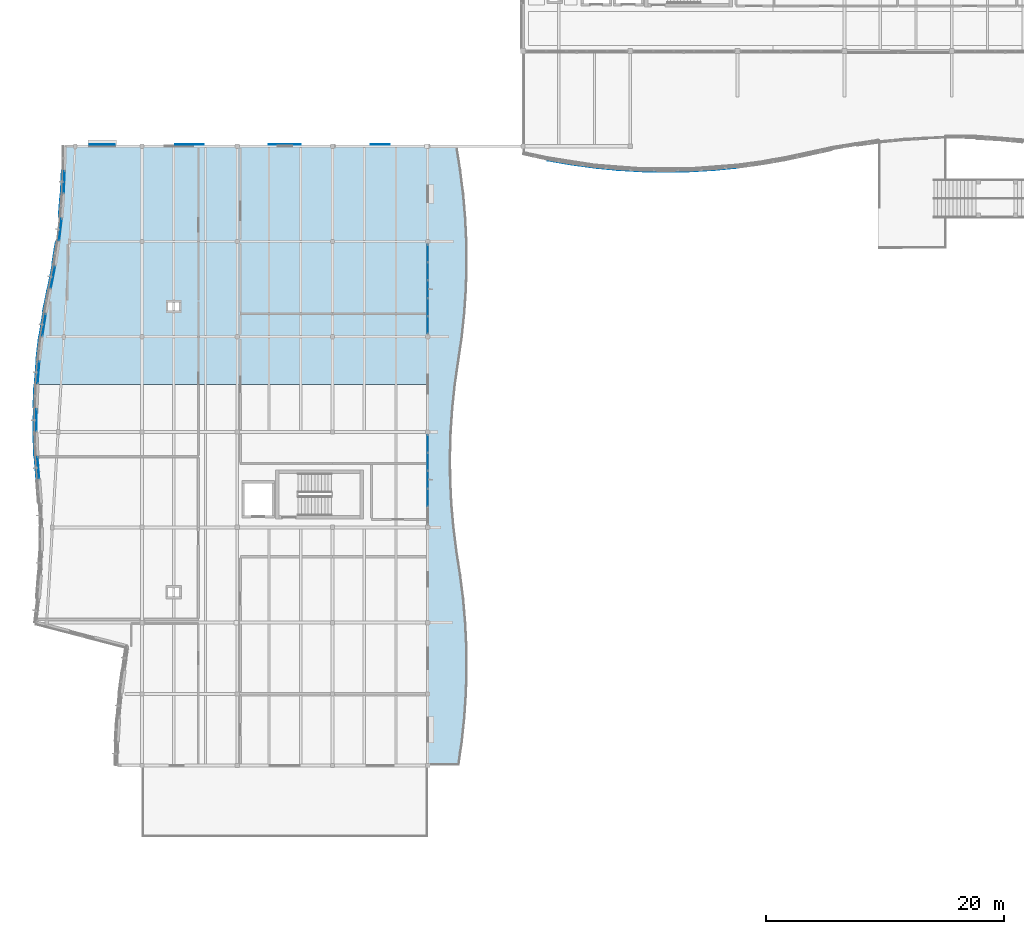
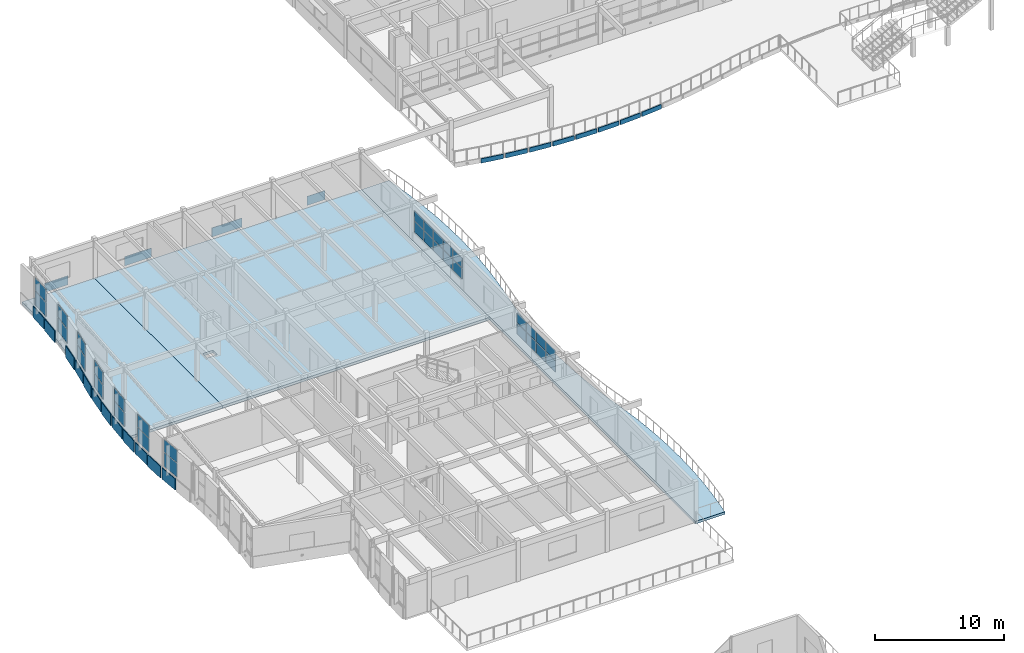
# One storey, part 30 of 63: 56 plates, 3 slabs, 9 elements without a shape of their own.
"""IFC4 building model written with IfcOpenShell, lengths in metres."""

from ifc_helpers import new_model, si_unit, direction, frame, origin, origin_2d, place, context, subcontext, project, spatial, polyline, rectangle, outline, extrude, material, layer, layer_set, type_object, element, aggregate, save


model = new_model("IFC4")

# Units and contexts
model_context = context("Model", 3, precision=1e-05, world=origin(), true_north=direction((0.0, 1.0)))
body_context = subcontext(model_context, "Body", "Model", "MODEL_VIEW")
ifc_project = project(units=[si_unit("LENGTHUNIT", "METRE"), si_unit("AREAUNIT", "SQUARE_METRE"), si_unit("VOLUMEUNIT", "CUBIC_METRE"), si_unit("PLANEANGLEUNIT", "RADIAN"), si_unit("MASSUNIT", "GRAM", prefix="KILO")], contexts=[model_context])

# Site, building, storey
site_placement = place(None, origin())
site = spatial("IfcSite", under=ifc_project, at=site_placement, CompositionType="ELEMENT")
building_placement = place(site_placement, origin())
building = spatial("IfcBuilding", under=site, at=building_placement, Name="Tonlespit Floodbar School", CompositionType="ELEMENT")
storey_placement = place(building_placement, frame((0.0, 0.0, 8.39990234375)))
storey = spatial("IfcBuildingStorey", under=building, at=storey_placement, Name="L02", CompositionType="ELEMENT", Elevation=8.39990234375)

# Curtain wall, plates
ifc_material_1 = material(Name="Anodised Aluminium", Category="aluminium")
ifc_layer_1 = layer(ifc_material_1, 0.159912109375)
ifc_layer_set_1 = layer_set([ifc_layer_1], Name="Anodised Aluminium")
curtain_wall_type_1 = type_object("IfcCurtainWallType", Name="CurtainWall_1950x2700", PredefinedType="NOTDEFINED", material=ifc_layer_set_1)
curtain_wall_1_placement = place(storey_placement, origin())
curtain_wall_1 = element("IfcCurtainWall", 1, at=curtain_wall_1_placement, inside=storey, type_object=curtain_wall_type_1, Name="L02 unitised curtain wall 0293", PredefinedType="NOTDEFINED")
ifc_material_2 = material(Name="Laminated Low-E Glass", Category="glass")
ifc_layer_2 = layer(ifc_material_2, 0.028076171875)
ifc_layer_set_2 = layer_set([ifc_layer_2], Name="Laminated Low-E Glass")
plate_type_1 = type_object("IfcPlateType", Name="CW_Panel_Glaz_28", PredefinedType="CURTAIN_PANEL", material=ifc_layer_set_2)
plate_1_placement = place(storey_placement, frame((3.781494140625, 81.0, 1.01513671875), z_axis=(0.0, 0.0, 1.0), x_axis=(0.154700059367, 0.987961482869, 0.0)))
plate_1 = element("IfcPlate", 2, at=plate_1_placement, type_object=plate_type_1, Name="CW-04 panel 1.1", PredefinedType="CURTAIN_PANEL", context=body_context, shape_type="SweptSolid", body=[
    extrude(rectangle(XDim=1.814453125, YDim=0.028076171875, at=origin_2d()), origin(), (0.0, 0.0, 1.0), 1.306396484375),
])
plate_2_placement = place(storey_placement, frame((3.781494140625, 81.0, 2.38671875), z_axis=(0.0, 0.0, 1.0), x_axis=(0.154700059367, 0.987961482869, 0.0)))
plate_2 = element("IfcPlate", 3, at=plate_2_placement, type_object=plate_type_1, Name="CW-04 panel 1.2", PredefinedType="CURTAIN_PANEL", context=body_context, shape_type="SweptSolid", body=[
    extrude(rectangle(XDim=1.814453125, YDim=0.028076171875, at=origin_2d()), origin(), (0.0, 0.0, 1.0), 1.198486328125),
])
aggregate(curtain_wall_1, [plate_1, plate_2])

ifc_layer_3 = layer(ifc_material_1, 0.159912109375)
ifc_layer_set_3 = layer_set([ifc_layer_3], Name="Anodised Aluminium")
curtain_wall_type_2 = type_object("IfcCurtainWallType", Name="CurtainWall_7550x2150", PredefinedType="NOTDEFINED", material=ifc_layer_set_3)
curtain_wall_2_placement = place(storey_placement, origin())
curtain_wall_2 = element("IfcCurtainWall", 4, at=curtain_wall_2_placement, inside=storey, type_object=curtain_wall_type_2, Name="L02 unitised curtain wall 0297", PredefinedType="NOTDEFINED")
plate_3_placement = place(storey_placement, frame((36.0, 87.0078125, 1.01513671875), z_axis=(0.0, 0.0, 1.0), x_axis=(0.0, -1.0, 0.0)))
plate_3 = element("IfcPlate", 5, at=plate_3_placement, type_object=plate_type_1, Name="CW-37 panel 1.1", PredefinedType="CURTAIN_PANEL", context=body_context, shape_type="SweptSolid", body=[
    extrude(rectangle(XDim=1.41455078125, YDim=0.028076171875, at=origin_2d()), origin(), (0.0, 0.0, 1.0), 1.015380859375),
])
plate_4_placement = place(storey_placement, frame((36.0, 87.0078125, 2.095458984375), z_axis=(0.0, 0.0, 1.0), x_axis=(0.0, -1.0, 0.0)))
plate_4 = element("IfcPlate", 6, at=plate_4_placement, type_object=plate_type_1, Name="CW-37 panel 1.2", PredefinedType="CURTAIN_PANEL", context=body_context, shape_type="SweptSolid", body=[
    extrude(rectangle(XDim=1.41455078125, YDim=0.028076171875, at=origin_2d()), origin(), (0.0, 0.0, 1.0), 0.9296875),
])
plate_5_placement = place(storey_placement, frame((36.0, 85.511962890625, 1.01513671875), z_axis=(0.0, 0.0, 1.0), x_axis=(0.0, -1.0, 0.0)))
plate_5 = element("IfcPlate", 7, at=plate_5_placement, type_object=plate_type_1, Name="CW-37 panel 2.1", PredefinedType="CURTAIN_PANEL", context=body_context, shape_type="SweptSolid", body=[
    extrude(rectangle(XDim=1.447021484375, YDim=0.028076171875, at=origin_2d()), origin(), (0.0, 0.0, 1.0), 1.015380859375),
])
plate_6_placement = place(storey_placement, frame((36.0, 85.511962890625, 2.095458984375), z_axis=(0.0, 0.0, 1.0), x_axis=(0.0, -1.0, 0.0)))
plate_6 = element("IfcPlate", 8, at=plate_6_placement, type_object=plate_type_1, Name="CW-37 panel 2.2", PredefinedType="CURTAIN_PANEL", context=body_context, shape_type="SweptSolid", body=[
    extrude(rectangle(XDim=1.447021484375, YDim=0.028076171875, at=origin_2d()), origin(), (0.0, 0.0, 1.0), 0.9296875),
])
plate_7_placement = place(storey_placement, frame((36.0, 84.0, 1.01513671875), z_axis=(0.0, 0.0, 1.0), x_axis=(0.0, -1.0, 0.0)))
plate_7 = element("IfcPlate", 9, at=plate_7_placement, type_object=plate_type_1, Name="CW-37 panel 3.1", PredefinedType="CURTAIN_PANEL", context=body_context, shape_type="SweptSolid", body=[
    extrude(rectangle(XDim=1.447021484375, YDim=0.028076171875, at=origin_2d()), origin(), (0.0, 0.0, 1.0), 1.015380859375),
])
plate_8_placement = place(storey_placement, frame((36.0, 84.0, 2.095458984375), z_axis=(0.0, 0.0, 1.0), x_axis=(0.0, -1.0, 0.0)))
plate_8 = element("IfcPlate", 10, at=plate_8_placement, type_object=plate_type_1, Name="CW-37 panel 3.2", PredefinedType="CURTAIN_PANEL", context=body_context, shape_type="SweptSolid", body=[
    extrude(rectangle(XDim=1.447021484375, YDim=0.028076171875, at=origin_2d()), origin(), (0.0, 0.0, 1.0), 0.9296875),
])
plate_9_placement = place(storey_placement, frame((36.0, 82.488037109375, 1.01513671875), z_axis=(0.0, 0.0, 1.0), x_axis=(0.0, -1.0, 0.0)))
plate_9 = element("IfcPlate", 11, at=plate_9_placement, type_object=plate_type_1, Name="CW-37 panel 4.1", PredefinedType="CURTAIN_PANEL", context=body_context, shape_type="SweptSolid", body=[
    extrude(rectangle(XDim=1.447021484375, YDim=0.028076171875, at=origin_2d()), origin(), (0.0, 0.0, 1.0), 1.015380859375),
])
plate_10_placement = place(storey_placement, frame((36.0, 82.488037109375, 2.095458984375), z_axis=(0.0, 0.0, 1.0), x_axis=(0.0, -1.0, 0.0)))
plate_10 = element("IfcPlate", 12, at=plate_10_placement, type_object=plate_type_1, Name="CW-37 panel 4.2", PredefinedType="CURTAIN_PANEL", context=body_context, shape_type="SweptSolid", body=[
    extrude(rectangle(XDim=1.447021484375, YDim=0.028076171875, at=origin_2d()), origin(), (0.0, 0.0, 1.0), 0.9296875),
])
plate_11_placement = place(storey_placement, frame((36.0, 80.9921875, 1.01513671875), z_axis=(0.0, 0.0, 1.0), x_axis=(0.0, -1.0, 0.0)))
plate_11 = element("IfcPlate", 13, at=plate_11_placement, type_object=plate_type_1, Name="CW-37 panel 5.1", PredefinedType="CURTAIN_PANEL", context=body_context, shape_type="SweptSolid", body=[
    extrude(rectangle(XDim=1.41455078125, YDim=0.028076171875, at=origin_2d()), origin(), (0.0, 0.0, 1.0), 1.015380859375),
])
plate_12_placement = place(storey_placement, frame((36.0, 80.9921875, 2.095458984375), z_axis=(0.0, 0.0, 1.0), x_axis=(0.0, -1.0, 0.0)))
plate_12 = element("IfcPlate", 14, at=plate_12_placement, type_object=plate_type_1, Name="CW-37 panel 5.2", PredefinedType="CURTAIN_PANEL", context=body_context, shape_type="SweptSolid", body=[
    extrude(rectangle(XDim=1.41455078125, YDim=0.028076171875, at=origin_2d()), origin(), (0.0, 0.0, 1.0), 0.9296875),
])
aggregate(curtain_wall_2, [plate_3, plate_4, plate_5, plate_6, plate_7, plate_8, plate_9, plate_10, plate_11, plate_12])

curtain_wall_3_placement = place(storey_placement, origin())
curtain_wall_3 = element("IfcCurtainWall", 15, at=curtain_wall_3_placement, inside=storey, type_object=curtain_wall_type_1, Name="L02 unitised curtain wall 0290", PredefinedType="NOTDEFINED")
ifc_layer_4 = layer(ifc_material_2, 0.031982421875)
ifc_layer_set_4 = layer_set([ifc_layer_4], Name="Laminated Low-E Glass")
plate_type_2 = type_object("IfcPlateType", Name="CW_Panel_Glaz_32", PredefinedType="CURTAIN_PANEL", material=ifc_layer_set_4)
plate_13_placement = place(storey_placement, frame((3.294189453125, 69.0, 1.01513671875), z_axis=(0.0, 0.0, 1.0), x_axis=(-0.075711654028, 0.997129753565, 0.0)))
plate_13 = element("IfcPlate", 16, at=plate_13_placement, type_object=plate_type_2, Name="CW-04 panel 1.1", PredefinedType="CURTAIN_PANEL", context=body_context, shape_type="SweptSolid", body=[
    extrude(rectangle(XDim=1.795654296875, YDim=0.031982421875, at=origin_2d()), origin(), (0.0, 0.0, 1.0), 1.306396484375),
])
plate_14_placement = place(storey_placement, frame((3.294189453125, 69.0, 2.38671875), z_axis=(0.0, 0.0, 1.0), x_axis=(-0.075711654028, 0.997129753565, 0.0)))
plate_14 = element("IfcPlate", 17, at=plate_14_placement, type_object=plate_type_2, Name="CW-04 panel 1.2", PredefinedType="CURTAIN_PANEL", context=body_context, shape_type="SweptSolid", body=[
    extrude(rectangle(XDim=1.795654296875, YDim=0.031982421875, at=origin_2d()), origin(), (0.0, 0.0, 1.0), 1.198486328125),
])
aggregate(curtain_wall_3, [plate_13, plate_14])

curtain_wall_4_placement = place(storey_placement, origin())
curtain_wall_4 = element("IfcCurtainWall", 18, at=curtain_wall_4_placement, inside=storey, type_object=curtain_wall_type_1, Name="L02 unitised curtain wall 0294", PredefinedType="NOTDEFINED")
plate_15_placement = place(storey_placement, frame((4.52587890625, 85.0, 1.01513671875), z_axis=(0.0, 0.0, 1.0), x_axis=(0.192244726092, 0.981347015734, 0.0)))
plate_15 = element("IfcPlate", 19, at=plate_15_placement, type_object=plate_type_2, Name="CW-04 panel 1.1", PredefinedType="CURTAIN_PANEL", context=body_context, shape_type="SweptSolid", body=[
    extrude(rectangle(XDim=1.827880859375, YDim=0.031982421875, at=origin_2d()), origin(), (0.0, 0.0, 1.0), 1.306396484375),
])
plate_16_placement = place(storey_placement, frame((4.52587890625, 85.0, 2.38671875), z_axis=(0.0, 0.0, 1.0), x_axis=(0.192244726092, 0.981347015734, 0.0)))
plate_16 = element("IfcPlate", 20, at=plate_16_placement, type_object=plate_type_2, Name="CW-04 panel 1.2", PredefinedType="CURTAIN_PANEL", context=body_context, shape_type="SweptSolid", body=[
    extrude(rectangle(XDim=1.827880859375, YDim=0.031982421875, at=origin_2d()), origin(), (0.0, 0.0, 1.0), 1.198486328125),
])
aggregate(curtain_wall_4, [plate_15, plate_16])

curtain_wall_5_placement = place(storey_placement, origin())
curtain_wall_5 = element("IfcCurtainWall", 21, at=curtain_wall_5_placement, inside=storey, type_object=curtain_wall_type_2, Name="L02 unitised curtain wall 0298", PredefinedType="NOTDEFINED")
plate_17_placement = place(storey_placement, frame((36.0, 71.0078125, 1.01513671875), z_axis=(0.0, 0.0, 1.0), x_axis=(0.0, -1.0, 0.0)))
plate_17 = element("IfcPlate", 22, at=plate_17_placement, type_object=plate_type_2, Name="CW-37 panel 1.1", PredefinedType="CURTAIN_PANEL", context=body_context, shape_type="SweptSolid", body=[
    extrude(rectangle(XDim=1.41455078125, YDim=0.031982421875, at=origin_2d()), origin(), (0.0, 0.0, 1.0), 1.015380859375),
])
plate_18_placement = place(storey_placement, frame((36.0, 71.0078125, 2.095458984375), z_axis=(0.0, 0.0, 1.0), x_axis=(0.0, -1.0, 0.0)))
plate_18 = element("IfcPlate", 23, at=plate_18_placement, type_object=plate_type_2, Name="CW-37 panel 1.2", PredefinedType="CURTAIN_PANEL", context=body_context, shape_type="SweptSolid", body=[
    extrude(rectangle(XDim=1.41455078125, YDim=0.031982421875, at=origin_2d()), origin(), (0.0, 0.0, 1.0), 0.9296875),
])
plate_19_placement = place(storey_placement, frame((36.0, 69.511962890625, 1.01513671875), z_axis=(0.0, 0.0, 1.0), x_axis=(0.0, -1.0, 0.0)))
plate_19 = element("IfcPlate", 24, at=plate_19_placement, type_object=plate_type_2, Name="CW-37 panel 2.1", PredefinedType="CURTAIN_PANEL", context=body_context, shape_type="SweptSolid", body=[
    extrude(rectangle(XDim=1.447021484375, YDim=0.031982421875, at=origin_2d()), origin(), (0.0, 0.0, 1.0), 1.015380859375),
])
plate_20_placement = place(storey_placement, frame((36.0, 69.511962890625, 2.095458984375), z_axis=(0.0, 0.0, 1.0), x_axis=(0.0, -1.0, 0.0)))
plate_20 = element("IfcPlate", 25, at=plate_20_placement, type_object=plate_type_2, Name="CW-37 panel 2.2", PredefinedType="CURTAIN_PANEL", context=body_context, shape_type="SweptSolid", body=[
    extrude(rectangle(XDim=1.447021484375, YDim=0.031982421875, at=origin_2d()), origin(), (0.0, 0.0, 1.0), 0.9296875),
])
plate_21_placement = place(storey_placement, frame((36.0, 68.0, 1.01513671875), z_axis=(0.0, 0.0, 1.0), x_axis=(0.0, -1.0, 0.0)))
plate_21 = element("IfcPlate", 26, at=plate_21_placement, type_object=plate_type_2, Name="CW-37 panel 3.1", PredefinedType="CURTAIN_PANEL", context=body_context, shape_type="SweptSolid", body=[
    extrude(rectangle(XDim=1.447021484375, YDim=0.031982421875, at=origin_2d()), origin(), (0.0, 0.0, 1.0), 1.015380859375),
])
plate_22_placement = place(storey_placement, frame((36.0, 68.0, 2.095458984375), z_axis=(0.0, 0.0, 1.0), x_axis=(0.0, -1.0, 0.0)))
plate_22 = element("IfcPlate", 27, at=plate_22_placement, type_object=plate_type_2, Name="CW-37 panel 3.2", PredefinedType="CURTAIN_PANEL", context=body_context, shape_type="SweptSolid", body=[
    extrude(rectangle(XDim=1.447021484375, YDim=0.031982421875, at=origin_2d()), origin(), (0.0, 0.0, 1.0), 0.9296875),
])
plate_23_placement = place(storey_placement, frame((36.0, 66.488037109375, 1.01513671875), z_axis=(0.0, 0.0, 1.0), x_axis=(0.0, -1.0, 0.0)))
plate_23 = element("IfcPlate", 28, at=plate_23_placement, type_object=plate_type_2, Name="CW-37 panel 4.1", PredefinedType="CURTAIN_PANEL", context=body_context, shape_type="SweptSolid", body=[
    extrude(rectangle(XDim=1.447021484375, YDim=0.031982421875, at=origin_2d()), origin(), (0.0, 0.0, 1.0), 1.015380859375),
])
plate_24_placement = place(storey_placement, frame((36.0, 66.488037109375, 2.095458984375), z_axis=(0.0, 0.0, 1.0), x_axis=(0.0, -1.0, 0.0)))
plate_24 = element("IfcPlate", 29, at=plate_24_placement, type_object=plate_type_2, Name="CW-37 panel 4.2", PredefinedType="CURTAIN_PANEL", context=body_context, shape_type="SweptSolid", body=[
    extrude(rectangle(XDim=1.447021484375, YDim=0.031982421875, at=origin_2d()), origin(), (0.0, 0.0, 1.0), 0.9296875),
])
aggregate(curtain_wall_5, [plate_17, plate_18, plate_19, plate_20, plate_21, plate_22, plate_23, plate_24])

ifc_layer_5 = layer(ifc_material_1, 0.159912109375)
ifc_layer_set_5 = layer_set([ifc_layer_5], Name="Anodised Aluminium")
curtain_wall_type_3 = type_object("IfcCurtainWallType", Name="CurtainWall_1900x2700", PredefinedType="NOTDEFINED", material=ifc_layer_set_5)
curtain_wall_6_placement = place(storey_placement, origin())
curtain_wall_6 = element("IfcCurtainWall", 30, at=curtain_wall_6_placement, inside=storey, type_object=curtain_wall_type_3, Name="L02 unitised curtain wall 0291", PredefinedType="NOTDEFINED")
ifc_layer_6 = layer(ifc_material_2, 0.035888671875)
ifc_layer_set_6 = layer_set([ifc_layer_6], Name="Laminated Low-E Glass")
plate_type_3 = type_object("IfcPlateType", Name="CW_Panel_Glaz_36", PredefinedType="CURTAIN_PANEL", material=ifc_layer_set_6)
plate_25_placement = place(storey_placement, frame((3.147216796875, 73.0, 1.01513671875), z_axis=(0.0, 0.0, 1.0), x_axis=(0.00218749477, 0.99999760743, 0.0)))
plate_25 = element("IfcPlate", 31, at=plate_25_placement, type_object=plate_type_3, Name="CW-05 panel 1.1", PredefinedType="CURTAIN_PANEL", context=body_context, shape_type="SweptSolid", body=[
    extrude(rectangle(XDim=1.7900390625, YDim=0.035888671875, at=origin_2d()), origin(), (0.0, 0.0, 1.0), 1.306396484375),
])
plate_26_placement = place(storey_placement, frame((3.147216796875, 73.0, 2.38671875), z_axis=(0.0, 0.0, 1.0), x_axis=(0.00218749477, 0.99999760743, 0.0)))
plate_26 = element("IfcPlate", 32, at=plate_26_placement, type_object=plate_type_3, Name="CW-05 panel 1.2", PredefinedType="CURTAIN_PANEL", context=body_context, shape_type="SweptSolid", body=[
    extrude(rectangle(XDim=1.7900390625, YDim=0.035888671875, at=origin_2d()), origin(), (0.0, 0.0, 1.0), 1.198486328125),
])
aggregate(curtain_wall_6, [plate_25, plate_26])

curtain_wall_7_placement = place(storey_placement, origin())
curtain_wall_7 = element("IfcCurtainWall", 33, at=curtain_wall_7_placement, inside=storey, type_object=curtain_wall_type_1, Name="L02 unitised curtain wall 0295", PredefinedType="NOTDEFINED")
plate_27_placement = place(storey_placement, frame((5.15283203125, 89.0, 1.01513671875), z_axis=(0.0, 0.0, 1.0), x_axis=(0.116967255837, 0.993135771716, 0.0)))
plate_27 = element("IfcPlate", 34, at=plate_27_placement, type_object=plate_type_3, Name="CW-04 panel 1.1", PredefinedType="CURTAIN_PANEL", context=body_context, shape_type="SweptSolid", body=[
    extrude(rectangle(XDim=1.803955078125, YDim=0.035888671875, at=origin_2d()), origin(), (0.0, 0.0, 1.0), 1.306396484375),
])
plate_28_placement = place(storey_placement, frame((5.15283203125, 89.0, 2.38671875), z_axis=(0.0, 0.0, 1.0), x_axis=(0.116967255837, 0.993135771716, 0.0)))
plate_28 = element("IfcPlate", 35, at=plate_28_placement, type_object=plate_type_3, Name="CW-04 panel 1.2", PredefinedType="CURTAIN_PANEL", context=body_context, shape_type="SweptSolid", body=[
    extrude(rectangle(XDim=1.803955078125, YDim=0.035888671875, at=origin_2d()), origin(), (0.0, 0.0, 1.0), 1.198486328125),
])
aggregate(curtain_wall_7, [plate_27, plate_28])

curtain_wall_8_placement = place(storey_placement, origin())
curtain_wall_8 = element("IfcCurtainWall", 36, at=curtain_wall_8_placement, inside=storey, type_object=curtain_wall_type_1, Name="L02 unitised curtain wall 0292", PredefinedType="NOTDEFINED")
ifc_layer_7 = layer(ifc_material_2, 0.0419921875)
ifc_layer_set_7 = layer_set([ifc_layer_7], Name="Laminated Low-E Glass")
plate_type_4 = type_object("IfcPlateType", Name="CW_Panel_Glaz_42", PredefinedType="CURTAIN_PANEL", material=ifc_layer_set_7)
plate_29_placement = place(storey_placement, frame((3.31005859375, 77.0, 1.01513671875), z_axis=(0.0, 0.0, 1.0), x_axis=(0.078963166836, 0.996877534245, 0.0)))
plate_29 = element("IfcPlate", 37, at=plate_29_placement, type_object=plate_type_4, Name="CW-04 panel 1.1", PredefinedType="CURTAIN_PANEL", context=body_context, shape_type="SweptSolid", body=[
    extrude(rectangle(XDim=1.796142578125, YDim=0.0419921875, at=origin_2d()), origin(), (0.0, 0.0, 1.0), 1.306396484375),
])
plate_30_placement = place(storey_placement, frame((3.31005859375, 77.0, 2.38671875), z_axis=(0.0, 0.0, 1.0), x_axis=(0.078963166836, 0.996877534245, 0.0)))
plate_30 = element("IfcPlate", 38, at=plate_30_placement, type_object=plate_type_4, Name="CW-04 panel 1.2", PredefinedType="CURTAIN_PANEL", context=body_context, shape_type="SweptSolid", body=[
    extrude(rectangle(XDim=1.796142578125, YDim=0.0419921875, at=origin_2d()), origin(), (0.0, 0.0, 1.0), 1.198486328125),
])
aggregate(curtain_wall_8, [plate_29, plate_30])

curtain_wall_9_placement = place(storey_placement, origin())
curtain_wall_9 = element("IfcCurtainWall", 39, at=curtain_wall_9_placement, inside=storey, type_object=curtain_wall_type_3, Name="L02 unitised curtain wall 0296", PredefinedType="NOTDEFINED")
plate_31_placement = place(storey_placement, frame((5.469970703125, 93.0, 1.01513671875), z_axis=(0.0, 0.0, 1.0), x_axis=(0.040747380387, 0.999169480615, 0.0)))
plate_31 = element("IfcPlate", 40, at=plate_31_placement, type_object=plate_type_4, Name="CW-05 panel 1.1", PredefinedType="CURTAIN_PANEL", context=body_context, shape_type="SweptSolid", body=[
    extrude(rectangle(XDim=1.79150390625, YDim=0.0419921875, at=origin_2d()), origin(), (0.0, 0.0, 1.0), 1.306396484375),
])
plate_32_placement = place(storey_placement, frame((5.469970703125, 93.0, 2.38671875), z_axis=(0.0, 0.0, 1.0), x_axis=(0.040747380387, 0.999169480615, 0.0)))
plate_32 = element("IfcPlate", 41, at=plate_32_placement, type_object=plate_type_4, Name="CW-05 panel 1.2", PredefinedType="CURTAIN_PANEL", context=body_context, shape_type="SweptSolid", body=[
    extrude(rectangle(XDim=1.79150390625, YDim=0.0419921875, at=origin_2d()), origin(), (0.0, 0.0, 1.0), 1.198486328125),
])
aggregate(curtain_wall_9, [plate_31, plate_32])

# Plates
ifc_material_3 = material(Name="Terracotta Anodised Aluminium", Category="masonry")
ifc_layer_8 = layer(ifc_material_3, 0.044921875)
ifc_layer_set_8 = layer_set([ifc_layer_8], Name="Terracotta Anodised Aluminium")
plate_type_5 = type_object("IfcPlateType", Name="FacadeCassette_02", PredefinedType="SHEET", material=ifc_layer_set_8)
plate_33_placement = place(storey_placement, frame((8.66748046875, 96.140380859375, 0.094970703125), z_axis=(0.0, 0.0, 1.0), x_axis=(1.0, 0.0, 0.0)))
element("IfcPlate", 42, at=plate_33_placement, inside=storey, type_object=plate_type_5, Name="L02 folded rainscreen cassette 010", PredefinedType="SHEET", context=body_context, shape_type="SweptSolid", body=[
    extrude(rectangle(XDim=2.10009765625, YDim=0.044921875, at=origin_2d()), origin(), (0.0, 0.0, 1.0), 0.85009765625),
])
ifc_layer_9 = layer(ifc_material_1, 0.050048828125)
ifc_layer_set_9 = layer_set([ifc_layer_9], Name="Anodised Aluminium")
plate_type_6 = type_object("IfcPlateType", Name="FacadeCassette_03", PredefinedType="SHEET", material=ifc_layer_set_9)
plate_34_placement = place(storey_placement, frame((16.0, 96.14306640625, 0.094970703125), z_axis=(0.0, 0.0, 1.0), x_axis=(1.0, 0.0, 0.0)))
element("IfcPlate", 43, at=plate_34_placement, inside=storey, type_object=plate_type_6, Name="L02 folded rainscreen cassette 011", PredefinedType="SHEET", context=body_context, shape_type="SweptSolid", body=[
    extrude(rectangle(XDim=2.39990234375, YDim=0.050048828125, at=origin_2d()), origin(), (0.0, 0.0, 1.0), 0.85009765625),
])
ifc_layer_10 = layer(ifc_material_3, 0.050048828125)
ifc_layer_set_10 = layer_set([ifc_layer_10], Name="Terracotta Anodised Aluminium")
plate_type_7 = type_object("IfcPlateType", Name="FacadeCassette_04", PredefinedType="SHEET", material=ifc_layer_set_10)
plate_35_placement = place(storey_placement, frame((24.0, 96.14306640625, 0.094970703125), z_axis=(0.0, 0.0, 1.0), x_axis=(1.0, 0.0, 0.0)))
element("IfcPlate", 44, at=plate_35_placement, inside=storey, type_object=plate_type_7, Name="L02 folded rainscreen cassette 012", PredefinedType="SHEET", context=body_context, shape_type="SweptSolid", body=[
    extrude(rectangle(XDim=2.699951171875, YDim=0.050048828125, at=origin_2d()), origin(), (0.0, 0.0, 1.0), 0.85009765625),
])
ifc_layer_11 = layer(ifc_material_1, 0.0400390625)
ifc_layer_set_11 = layer_set([ifc_layer_11], Name="Anodised Aluminium")
plate_type_8 = type_object("IfcPlateType", Name="FacadeCassette_05", PredefinedType="SHEET", material=ifc_layer_set_11)
plate_36_placement = place(storey_placement, frame((32.0, 96.137939453125, 0.094970703125), z_axis=(0.0, 0.0, 1.0), x_axis=(1.0, 0.0, 0.0)))
element("IfcPlate", 45, at=plate_36_placement, inside=storey, type_object=plate_type_8, Name="L02 folded rainscreen cassette 013", PredefinedType="SHEET", context=body_context, shape_type="SweptSolid", body=[
    extrude(rectangle(XDim=1.60009765625, YDim=0.0400390625, at=origin_2d()), origin(), (0.0, 0.0, 1.0), 0.85009765625),
])
ifc_material_4 = material(Name="White Architectural Aluminium", Category="aluminium")
ifc_layer_12 = layer(ifc_material_4, 0.06494140625)
ifc_layer_set_12 = layer_set([ifc_layer_12], Name="White Architectural Aluminium")
plate_type_9 = type_object("IfcPlateType", Name="FacadeRibbon_White_65", PredefinedType="SHEET", material=ifc_layer_set_12)
plate_37_placement = place(storey_placement, frame((47.0, 94.669189453125, -0.2998046875), z_axis=(0.0, 0.0, 1.0), x_axis=(0.984904884962, -0.17309641122, 0.0)))
element("IfcPlate", 46, at=plate_37_placement, inside=storey, type_object=plate_type_9, Name="L02 flowing white street spandrel ribbon 0179", PredefinedType="SHEET", context=body_context, shape_type="SweptSolid", body=[
    extrude(rectangle(XDim=1.87060546875, YDim=0.06494140625, at=origin_2d()), origin(), (0.0, 0.0, 1.0), 0.419921875),
])
plate_38_placement = place(storey_placement, frame((49.0, 94.357666015625, -0.2998046875), z_axis=(0.0, 0.0, 1.0), x_axis=(0.990898113281, -0.13461400037, 0.0)))
element("IfcPlate", 47, at=plate_38_placement, inside=storey, type_object=plate_type_9, Name="L02 flowing white street spandrel ribbon 0180", PredefinedType="SHEET", context=body_context, shape_type="SweptSolid", body=[
    extrude(rectangle(XDim=1.8583984375, YDim=0.06494140625, at=origin_2d()), origin(), (0.0, 0.0, 1.0), 0.419921875),
])
plate_39_placement = place(storey_placement, frame((51.0, 94.125244140625, -0.2998046875), z_axis=(0.0, 0.0, 1.0), x_axis=(0.995361841764, -0.096201891669, 0.0)))
element("IfcPlate", 48, at=plate_39_placement, inside=storey, type_object=plate_type_9, Name="L02 flowing white street spandrel ribbon 0181", PredefinedType="SHEET", context=body_context, shape_type="SweptSolid", body=[
    extrude(rectangle(XDim=1.849365234375, YDim=0.06494140625, at=origin_2d()), origin(), (0.0, 0.0, 1.0), 0.419921875),
])
plate_40_placement = place(storey_placement, frame((53.0, 93.970703125, -0.2998046875), z_axis=(0.0, 0.0, 1.0), x_axis=(0.998333769428, -0.057703421212, 0.0)))
element("IfcPlate", 49, at=plate_40_placement, inside=storey, type_object=plate_type_9, Name="L02 flowing white street spandrel ribbon 0182", PredefinedType="SHEET", context=body_context, shape_type="SweptSolid", body=[
    extrude(rectangle(XDim=1.84326171875, YDim=0.06494140625, at=origin_2d()), origin(), (0.0, 0.0, 1.0), 0.419921875),
])
for number, where, z_axis, x_axis, name in (
    (50, (55.0, 93.8935546875, -0.2998046875), (0.0, 0.0, 1.0), (0.999814772764, -0.01924630259, 0.0), "L02 flowing white street spandrel ribbon 0183"),
    (51, (57.0, 93.8935546875, -0.2998046875), (0.0, 0.0, 1.0), (0.999814772764, 0.01924630259, 0.0), "L02 flowing white street spandrel ribbon 0184"),
):
    element("IfcPlate", number, at=place(storey_placement, frame(where, z_axis=z_axis, x_axis=x_axis)), inside=storey, type_object=plate_type_9, Name=name, PredefinedType="SHEET", context=body_context, shape_type="SweptSolid", body=[
        extrude(rectangle(XDim=1.84033203125, YDim=0.06494140625, at=origin_2d()), origin(), (0.0, 0.0, 1.0), 0.419921875),
    ])
plate_41_placement = place(storey_placement, frame((59.0, 93.970703125, -0.2998046875), z_axis=(0.0, 0.0, 1.0), x_axis=(0.998333769428, 0.057703421212, 0.0)))
element("IfcPlate", 52, at=plate_41_placement, inside=storey, type_object=plate_type_9, Name="L02 flowing white street spandrel ribbon 0185", PredefinedType="SHEET", context=body_context, shape_type="SweptSolid", body=[
    extrude(rectangle(XDim=1.84326171875, YDim=0.06494140625, at=origin_2d()), origin(), (0.0, 0.0, 1.0), 0.419921875),
])
plate_42_placement = place(storey_placement, frame((61.0, 94.125244140625, -0.2998046875), z_axis=(0.0, 0.0, 1.0), x_axis=(0.995361841764, 0.096201891669, 0.0)))
element("IfcPlate", 53, at=plate_42_placement, inside=storey, type_object=plate_type_9, Name="L02 flowing white street spandrel ribbon 0186", PredefinedType="SHEET", context=body_context, shape_type="SweptSolid", body=[
    extrude(rectangle(XDim=1.849365234375, YDim=0.06494140625, at=origin_2d()), origin(), (0.0, 0.0, 1.0), 0.419921875),
])
plate_43_placement = place(storey_placement, frame((3.112548828125, 68.986083984375, -0.1201171875), z_axis=(0.0, 0.0, 1.0), x_axis=(-0.075681836348, 0.997132017161, 0.0)))
element("IfcPlate", 54, at=plate_43_placement, inside=storey, type_object=plate_type_9, Name="L02 flowing white street spandrel ribbon 0555", PredefinedType="SHEET", context=body_context, shape_type="SweptSolid", body=[
    extrude(rectangle(XDim=1.845703125, YDim=0.06494140625, at=origin_2d()), origin(), (0.0, 0.0, 1.0), 1.070068359375),
])
plate_44_placement = place(storey_placement, frame((2.9697265625, 70.9921875, -0.119873046875), z_axis=(0.0, 0.0, 1.0), x_axis=(-0.036575686496, 0.999330885722, 0.0)))
element("IfcPlate", 55, at=plate_44_placement, inside=storey, type_object=plate_type_9, Name="L02 flowing white street spandrel ribbon 0556", PredefinedType="SHEET", context=body_context, shape_type="SweptSolid", body=[
    extrude(rectangle(XDim=1.84130859375, YDim=0.06494140625, at=origin_2d()), origin(), (0.0, 0.0, 1.0), 1.1201171875),
])
plate_45_placement = place(storey_placement, frame((2.965087890625, 73.00048828125, -0.1201171875), z_axis=(0.0, 0.0, 1.0), x_axis=(0.00220085841, 0.999997578108, 0.0)))
element("IfcPlate", 56, at=plate_45_placement, inside=storey, type_object=plate_type_9, Name="L02 flowing white street spandrel ribbon 0557", PredefinedType="SHEET", context=body_context, shape_type="SweptSolid", body=[
    extrude(rectangle(XDim=1.840087890625, YDim=0.06494140625, at=origin_2d()), origin(), (0.0, 0.0, 1.0), 1.070068359375),
])
plate_46_placement = place(storey_placement, frame((2.978271484375, 75.008544921875, -0.119873046875), z_axis=(0.0, 0.0, 1.0), x_axis=(0.040715999914, 0.999170759856, 0.0)))
element("IfcPlate", 57, at=plate_46_placement, inside=storey, type_object=plate_type_9, Name="L02 flowing white street spandrel ribbon 0558", PredefinedType="SHEET", context=body_context, shape_type="SweptSolid", body=[
    extrude(rectangle(XDim=1.841796875, YDim=0.06494140625, at=origin_2d()), origin(), (0.0, 0.0, 1.0), 1.1201171875),
])
plate_47_placement = place(storey_placement, frame((3.128662109375, 77.014404296875, -0.1201171875), z_axis=(0.0, 0.0, 1.0), x_axis=(0.079001948152, 0.996874461599, 0.0)))
element("IfcPlate", 58, at=plate_47_placement, inside=storey, type_object=plate_type_9, Name="L02 flowing white street spandrel ribbon 0559", PredefinedType="SHEET", context=body_context, shape_type="SweptSolid", body=[
    extrude(rectangle(XDim=1.84619140625, YDim=0.06494140625, at=origin_2d()), origin(), (0.0, 0.0, 1.0), 1.070068359375),
])
plate_48_placement = place(storey_placement, frame((3.296630859375, 79.02490234375, -0.119873046875), z_axis=(0.0, 0.0, 1.0), x_axis=(0.116991411823, 0.99313292643, 0.0)))
element("IfcPlate", 59, at=plate_48_placement, inside=storey, type_object=plate_type_9, Name="L02 flowing white street spandrel ribbon 0560", PredefinedType="SHEET", context=body_context, shape_type="SweptSolid", body=[
    extrude(rectangle(XDim=1.853759765625, YDim=0.06494140625, at=origin_2d()), origin(), (0.0, 0.0, 1.0), 1.1201171875),
])
plate_49_placement = place(storey_placement, frame((3.601806640625, 81.0283203125, -0.1201171875), z_axis=(0.0, 0.0, 1.0), x_axis=(0.154713834929, 0.987959325722, 0.0)))
element("IfcPlate", 60, at=plate_49_placement, inside=storey, type_object=plate_type_9, Name="L02 flowing white street spandrel ribbon 0561", PredefinedType="SHEET", context=body_context, shape_type="SweptSolid", body=[
    extrude(rectangle(XDim=1.864501953125, YDim=0.06494140625, at=origin_2d()), origin(), (0.0, 0.0, 1.0), 1.070068359375),
])
plate_50_placement = place(storey_placement, frame((3.926025390625, 83.040771484375, -0.119873046875), z_axis=(0.0, 0.0, 1.0), x_axis=(0.192246217643, 0.98134672354, 0.0)))
element("IfcPlate", 61, at=plate_50_placement, inside=storey, type_object=plate_type_9, Name="L02 flowing white street spandrel ribbon 0562", PredefinedType="SHEET", context=body_context, shape_type="SweptSolid", body=[
    extrude(rectangle(XDim=1.8779296875, YDim=0.06494140625, at=origin_2d()), origin(), (0.0, 0.0, 1.0), 1.1201171875),
])
plate_51_placement = place(storey_placement, frame((4.347412109375, 85.034912109375, -0.1201171875), z_axis=(0.0, 0.0, 1.0), x_axis=(0.192246217643, 0.98134672354, 0.0)))
element("IfcPlate", 62, at=plate_51_placement, inside=storey, type_object=plate_type_9, Name="L02 flowing white street spandrel ribbon 0563", PredefinedType="SHEET", context=body_context, shape_type="SweptSolid", body=[
    extrude(rectangle(XDim=1.8779296875, YDim=0.06494140625, at=origin_2d()), origin(), (0.0, 0.0, 1.0), 1.070068359375),
])
plate_52_placement = place(storey_placement, frame((4.6689453125, 87.03271484375, -0.119873046875), z_axis=(0.0, 0.0, 1.0), x_axis=(0.154713834929, 0.987959325722, 0.0)))
element("IfcPlate", 63, at=plate_52_placement, inside=storey, type_object=plate_type_9, Name="L02 flowing white street spandrel ribbon 0564", PredefinedType="SHEET", context=body_context, shape_type="SweptSolid", body=[
    extrude(rectangle(XDim=1.864501953125, YDim=0.06494140625, at=origin_2d()), origin(), (0.0, 0.0, 1.0), 1.1201171875),
])
plate_53_placement = place(storey_placement, frame((5.138427734375, 91.0166015625, -0.119873046875), z_axis=(0.0, 0.0, 1.0), x_axis=(0.079001948152, 0.996874461599, 0.0)))
element("IfcPlate", 64, at=plate_53_placement, inside=storey, type_object=plate_type_9, Name="L02 flowing white street spandrel ribbon 0566", PredefinedType="SHEET", context=body_context, shape_type="SweptSolid", body=[
    extrude(rectangle(XDim=1.84619140625, YDim=0.06494140625, at=origin_2d()), origin(), (0.0, 0.0, 1.0), 1.1201171875),
])
plate_54_placement = place(storey_placement, frame((5.2880859375, 93.00732421875, -0.1201171875), z_axis=(0.0, 0.0, 1.0), x_axis=(0.040715999914, 0.999170759856, 0.0)))
element("IfcPlate", 65, at=plate_54_placement, inside=storey, type_object=plate_type_9, Name="L02 flowing white street spandrel ribbon 0567", PredefinedType="SHEET", context=body_context, shape_type="SweptSolid", body=[
    extrude(rectangle(XDim=1.841796875, YDim=0.06494140625, at=origin_2d()), origin(), (0.0, 0.0, 1.0), 1.070068359375),
])

# Slabs
ifc_material_5 = material(Name="CLT C24", Category="wood")
ifc_layer_13 = layer(ifc_material_5, 0.248046875)
ifc_layer_set_13 = layer_set([ifc_layer_13], Name="CLT C24")
slab_type_1 = type_object("IfcSlabType", Name="Slab_Floor_CLT_200", PredefinedType="FLOOR", material=ifc_layer_set_13)
slab_1_placement = place(storey_placement, frame((0.0, 0.0, -0.247802734375)))
element("IfcSlab", 66, at=slab_1_placement, inside=storey, type_object=slab_type_1, Name="L02 V2 L02 north STEAM lab slab", PredefinedType="FLOOR", context=body_context, shape_type="SweptSolid", body=[
    extrude(outline(polyline([(12.0, 76.0), (36.0, 76.0), (36.0, 96.0), (12.0, 96.0), (12.0, 76.0)]), holes=[polyline([(14.199951171875, 82.199951171875), (15.10009765625, 82.199951171875), (15.10009765625, 82.89990234375), (14.199951171875, 82.89990234375), (14.199951171875, 82.199951171875)])]), origin(), (0.0, 0.0, 1.0), 0.247802734375),
])
slab_2_placement = place(storey_placement, frame((0.0, 0.0, -0.247802734375)))
element("IfcSlab", 67, at=slab_2_placement, inside=storey, type_object=slab_type_1, Name="L02 V2 L02 splayed studio slab 76", PredefinedType="FLOOR", context=body_context, shape_type="SweptSolid", body=[
    extrude(outline(polyline([(12.0, 76.0), (12.0, 96.0), (5.514892578125, 96.0), (5.510498046875, 94.0), (5.42919921875, 92.0), (5.2705078125, 90.0), (5.034912109375, 88.0), (4.7216796875, 86.0), (4.330078125, 84.0), (3.938232421875, 82.0), (3.625, 80.0), (3.389404296875, 78.0), (3.23095703125, 76.0), (12.0, 76.0)])), origin(), (0.0, 0.0, 1.0), 0.247802734375),
])
ifc_layer_14 = layer(ifc_material_5, 0.243896484375)
ifc_layer_set_14 = layer_set([ifc_layer_14], Name="CLT C24")
slab_type_2 = type_object("IfcSlabType", Name="Slab_Terrace_CLT_244", PredefinedType="FLOOR", material=ifc_layer_set_14)
slab_3_placement = place(storey_placement, frame((0.0, 0.0, -0.243896484375)))
element("IfcSlab", 68, at=slab_3_placement, inside=storey, type_object=slab_type_2, Name="L02 V2 L02 curved courtyard gallery", PredefinedType="FLOOR", context=body_context, shape_type="SweptSolid", body=[
    extrude(outline(polyline([(36.0, 44.0), (38.64990234375, 44.0), (38.941650390625, 46.0), (39.154296875, 48.0), (39.289306640625, 50.0), (39.346923828125, 52.0), (39.327880859375, 54.0), (39.2314453125, 56.0), (39.0576171875, 58.0), (38.8056640625, 60.0), (38.494384765625, 62.0), (38.2421875, 64.0), (38.068603515625, 66.0), (37.97216796875, 68.0), (37.952880859375, 70.0), (38.0107421875, 72.0), (38.145751953125, 74.0), (38.3583984375, 76.0), (38.64990234375, 78.0), (38.941650390625, 80.0), (39.154296875, 82.0), (39.289306640625, 84.0), (39.346923828125, 86.0), (39.327880859375, 88.0), (39.2314453125, 90.0), (39.0576171875, 92.0), (38.8056640625, 94.0), (38.494384765625, 96.0), (36.0, 96.0), (36.0, 44.0)])), origin(), (0.0, 0.0, 1.0), 0.243896484375),
])

save(model, "model.ifc")
